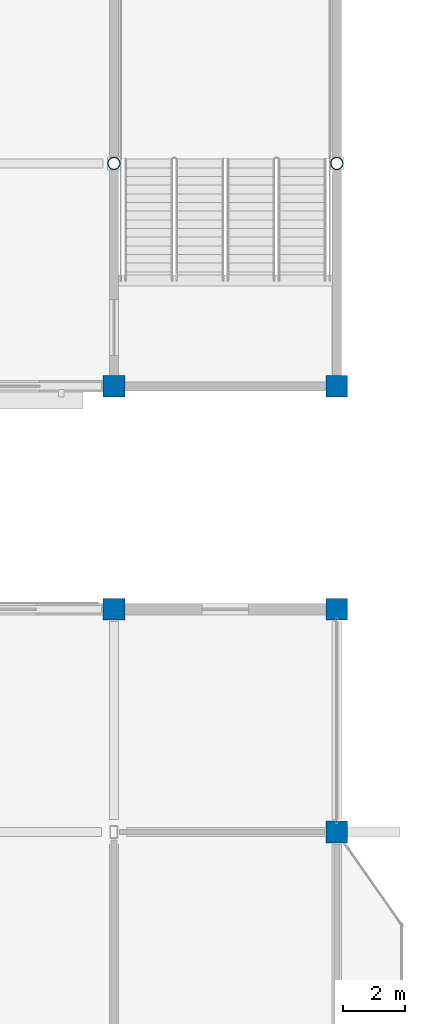
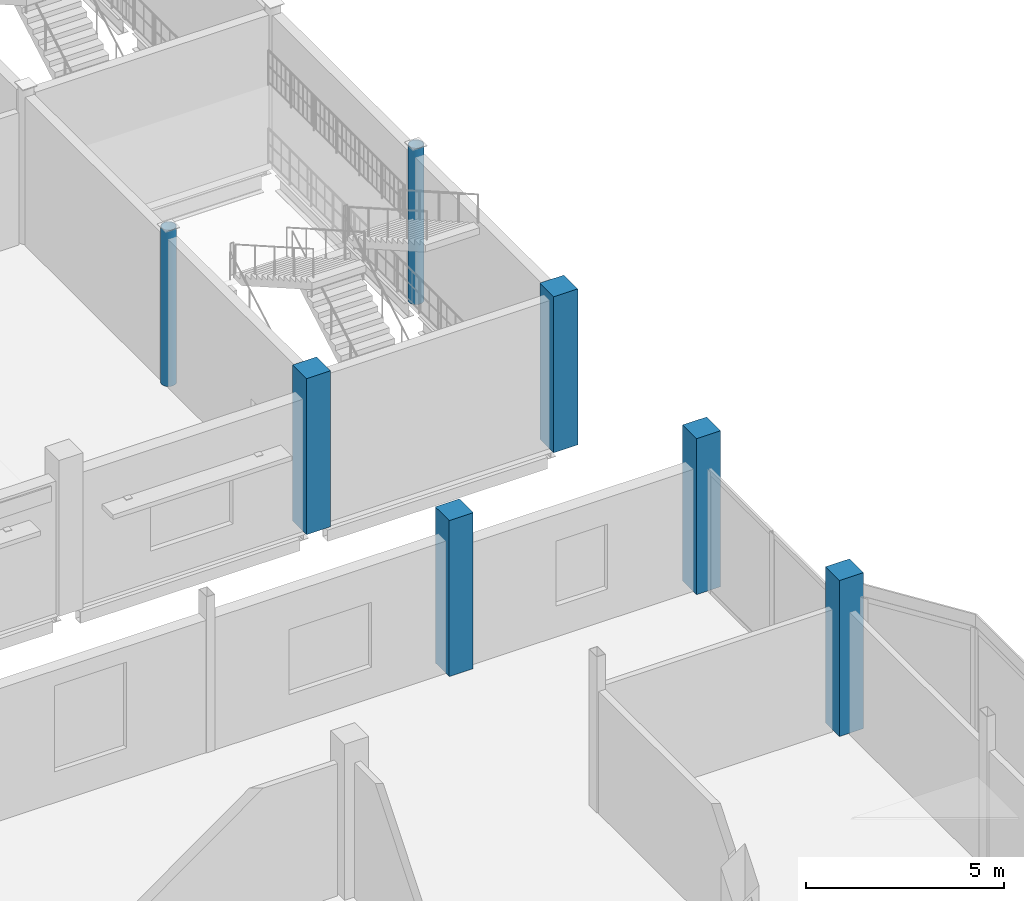
# One storey, part 14 of 120: 7 columns.
"""IFC4 building model written with IfcOpenShell, lengths in metres."""

from ifc_helpers import new_model, si_unit, direction, frame, origin, origin_2d, place, context, subcontext, project, spatial, rectangle, hollow_circle, extrude, material, material_profile, profile_set, type_object, element, save


model = new_model("IFC4")

# Units and contexts
model_context = context("Model", 3, precision=1e-05, world=origin(), true_north=direction((0.0, 1.0)))
body_context = subcontext(model_context, "Body", "Model", "MODEL_VIEW")
ifc_project = project(units=[si_unit("LENGTHUNIT", "METRE"), si_unit("AREAUNIT", "SQUARE_METRE"), si_unit("VOLUMEUNIT", "CUBIC_METRE"), si_unit("PLANEANGLEUNIT", "RADIAN"), si_unit("MASSUNIT", "GRAM", prefix="KILO")], contexts=[model_context])

# Site, building, storey
site_placement = place(None, origin())
site = spatial("IfcSite", under=ifc_project, at=site_placement, CompositionType="ELEMENT")
building_placement = place(site_placement, origin())
building = spatial("IfcBuilding", under=site, at=building_placement, Name="Vesperath Aquatics Centre", CompositionType="ELEMENT")
storey_placement = place(building_placement, frame((0.0, 0.0, 10.199951171875)))
storey = spatial("IfcBuildingStorey", under=building, at=storey_placement, Name="L02", CompositionType="ELEMENT", Elevation=10.199951171875)

# Columns
ifc_material_1 = material(Name="Concrete C40", Category="concrete")
ifc_material_profile_1 = material_profile(ifc_material_1, rectangle(XDim=0.699951171875, YDim=0.699951171875, at=origin_2d()), Name="RC 700x700")
ifc_profile_set_1 = profile_set([ifc_material_profile_1], Name="Concrete C40")
column_type_1 = type_object("IfcColumnType", Name="CL-C05", PredefinedType="COLUMN", material=ifc_profile_set_1)
for number, where, z_axis, x_axis, name in (
    (1, (165.60009765625, 43.199951171875, 0.0), (0.0, 0.0, 1.0), (1.0, 0.0, 0.0), "Column C05 L02 24/G"),
    (2, (165.60009765625, 50.39990234375, 0.0), (0.0, 0.0, 1.0), (1.0, 0.0, 0.0), "Column C05 L02 24/H"),
    (3, (172.800048828125, 36.0, 0.0), (0.0, 0.0, 1.0), (1.0, 0.0, 0.0), "Column C05 L02 25/F"),
    (4, (172.800048828125, 43.199951171875, 0.0), (0.0, 0.0, 1.0), (1.0, 0.0, 0.0), "Column C05 L02 25/G"),
    (5, (172.800048828125, 50.39990234375, 0.0), (0.0, 0.0, 1.0), (1.0, 0.0, 0.0), "Column C05 L02 25/H"),
):
    element("IfcColumn", number, at=place(storey_placement, frame(where, z_axis=z_axis, x_axis=x_axis)), inside=storey, type_object=column_type_1, Name=name, PredefinedType="COLUMN", context=body_context, shape_type="SweptSolid", body=[
        extrude(rectangle(XDim=0.699951171875, YDim=0.699951171875, at=origin_2d()), origin(), (0.0, 0.0, 1.0), 4.800048828125),
    ])
ifc_material_2 = material(Name="Steel Q355D", Category="steel")
ifc_material_profile_2 = material_profile(ifc_material_2, hollow_circle(Radius=0.203125, WallThickness=0.01611328125, at=origin_2d()), Name="CHS 406.4x16")
ifc_profile_set_2 = profile_set([ifc_material_profile_2], Name="Steel Q355D")
column_type_2 = type_object("IfcColumnType", Name="CL-C14", PredefinedType="COLUMN", material=ifc_profile_set_2)
for number, where, z_axis, x_axis, name in (
    (6, (165.60009765625, 57.60009765625, 0.0), (0.0, 0.0, 1.0), (1.0, 0.0, 0.0), "Column C14 L02 24/J"),
    (7, (172.800048828125, 57.60009765625, 0.0), (0.0, 0.0, 1.0), (1.0, 0.0, 0.0), "Column C14 L02 25/J"),
):
    element("IfcColumn", number, at=place(storey_placement, frame(where, z_axis=z_axis, x_axis=x_axis)), inside=storey, type_object=column_type_2, Name=name, PredefinedType="COLUMN", context=body_context, shape_type="SweptSolid", body=[
        extrude(hollow_circle(Radius=0.203125, WallThickness=0.01611328125, at=origin_2d()), origin(), (0.0, 0.0, 1.0), 4.800048828125),
    ])

save(model, "model.ifc")
